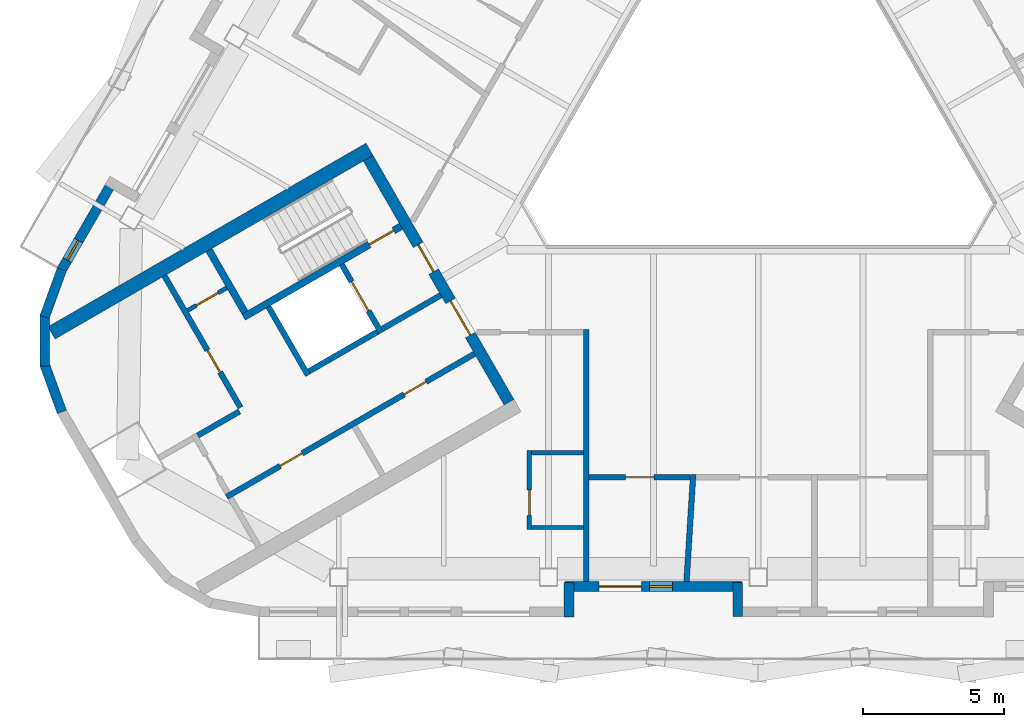
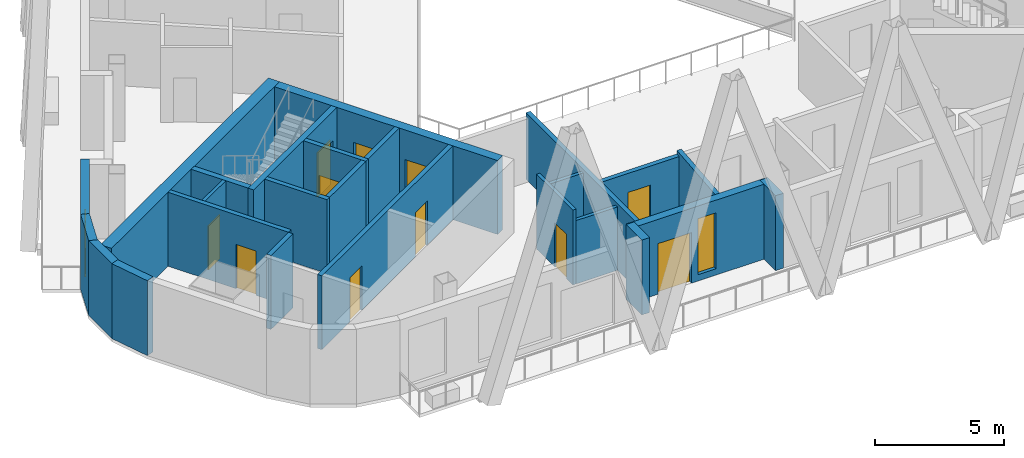
# One storey, part 3 of 14: 25 walls, 11 doors, 2 windows, 13 openings.
"""IFC4 building model written with IfcOpenShell, lengths in metres."""

from ifc_helpers import new_model, si_unit, direction, frame, frame_2d, origin, place, context, subcontext, project, spatial, rectangle, extrude, material, layer, layer_set, type_object, element, fill, save


model = new_model("IFC4")

# Units and contexts
model_context = context("Model", 3, precision=1e-05, world=origin(), true_north=direction((0.0, 1.0)))
body_context = subcontext(model_context, "Body", "Model", "MODEL_VIEW")
ifc_project = project(units=[si_unit("LENGTHUNIT", "METRE"), si_unit("AREAUNIT", "SQUARE_METRE"), si_unit("VOLUMEUNIT", "CUBIC_METRE"), si_unit("PLANEANGLEUNIT", "RADIAN"), si_unit("MASSUNIT", "GRAM", prefix="KILO")], contexts=[model_context])

# Site, building, storey
site_placement = place(None, origin())
site = spatial("IfcSite", under=ifc_project, at=site_placement, CompositionType="ELEMENT")
building_placement = place(site_placement, origin())
building = spatial("IfcBuilding", under=site, at=building_placement, Name="Apuvela Tower Hotel", CompositionType="ELEMENT")
storey_placement = place(building_placement, frame((0.0, 0.0, 268.89990234375)))
storey = spatial("IfcBuildingStorey", under=building, at=storey_placement, Name="L66", CompositionType="ELEMENT", Elevation=268.89990234375)

# Wall, openings, doors
ifc_material_1 = material(Name="Concrete C50/60", Category="concrete")
ifc_layer_1 = layer(ifc_material_1, 0.39990234375)
ifc_layer_set_1 = layer_set([ifc_layer_1], Name="COR-WALL-CORE-400")
wall_type_1 = type_object("IfcWallType", Name="COR-WALL-CORE-400", PredefinedType="SHEAR", material=ifc_layer_set_1)
wall_1_placement = place(storey_placement, frame((-13.844970703125, -2.219970703125, 0.0), z_axis=(0.0, 0.0, 1.0), x_axis=(0.500004234368, -0.866022959057, 0.0)))
wall_1 = element("IfcWall", 1, at=wall_1_placement, inside=storey, type_object=wall_type_1, Name="Core wall SW", PredefinedType="SHEAR", context=body_context, shape_type="SweptSolid", body=[
    extrude(rectangle(XDim=10.0, YDim=0.39990234375, at=frame_2d((5.0, 0.0))), origin(), (0.0, 0.0, 1.0), 3.5),
])
opening_1_placement = place(wall_1_placement, frame((3.550048828125, 0.0, 0.0)))
opening_1 = element("IfcOpeningElement", 2, at=opening_1_placement, cuts=wall_1, Name="Opening W-FD", PredefinedType="OPENING", context=body_context, shape_type="SweptSolid", body=[
    extrude(rectangle(XDim=1.10009765625, YDim=2.10009765625, at=frame_2d((0.550048828125, 1.050048828125))), frame((0.0, 0.2099609375, 0.0), z_axis=(0.0, -1.0, 0.0), x_axis=(1.0, 0.0, 0.0)), (0.0, 0.0, 1.0), 0.419921875),
])
opening_2_placement = place(wall_1_placement, frame((5.85009765625, 0.0, 0.0)))
opening_2 = element("IfcOpeningElement", 3, at=opening_2_placement, cuts=wall_1, Name="Opening W-GD", PredefinedType="OPENING", context=body_context, shape_type="SweptSolid", body=[
    extrude(rectangle(XDim=1.39990234375, YDim=2.10009765625, at=frame_2d((0.699951171875, 1.050048828125))), frame((0.0, 0.2099609375, 0.0), z_axis=(0.0, -1.0, 0.0), x_axis=(1.0, 0.0, 0.0)), (0.0, 0.0, 1.0), 0.419921875),
])
ifc_material_2 = material(Name="Steel fire door, powder coated", Category="steel")
door_type_1 = type_object("IfcDoorType", Name="COR-FD-1100", OperationType="NOTDEFINED", PredefinedType="DOOR", material=ifc_material_2)
door_1_placement = place(opening_1_placement, frame((1.10009765625, 0.0, 0.0), z_axis=(0.0, 0.0, 1.0), x_axis=(-1.0, 0.0, 0.0)))
door_1 = element("IfcDoor", 4, at=door_1_placement, inside=storey, type_object=door_type_1, Name="Firefighting lobby door W-FD", OperationType="SINGLE_SWING_LEFT", OverallHeight=2.10009765625, OverallWidth=1.10009765625, PredefinedType="DOOR", context=body_context, shape_type="SweptSolid", body=[
    extrude(rectangle(XDim=1.10009765625, YDim=2.10009765625, at=frame_2d((0.550048828125, 1.050048828125))), frame((0.0, 0.02490234375, 0.0), z_axis=(0.0, -1.0, 0.0), x_axis=(1.0, 0.0, 0.0)), (0.0, 0.0, 1.0), 0.050048828125),
])
fill(opening_1, door_1)
ifc_material_3 = material(Name="Glazed steel fire door", Category="steel")
door_type_2 = type_object("IfcDoorType", Name="COR-GD-1400", OperationType="DOUBLE_DOOR_SINGLE_SWING", PredefinedType="DOOR", material=ifc_material_3)
door_2_placement = place(opening_2_placement, frame((1.39990234375, 0.0, 0.0), z_axis=(0.0, 0.0, 1.0), x_axis=(-1.0, 0.0, 0.0)))
door_2 = element("IfcDoor", 5, at=door_2_placement, inside=storey, type_object=door_type_2, Name="Lift lobby door W-GD", OperationType="DOUBLE_DOOR_SINGLE_SWING", OverallHeight=2.10009765625, OverallWidth=1.39990234375, PredefinedType="DOOR", context=body_context, shape_type="SweptSolid", body=[
    extrude(rectangle(XDim=1.39990234375, YDim=2.10009765625, at=frame_2d((0.699951171875, 1.050048828125))), frame((0.0, 0.02490234375, 0.0), z_axis=(0.0, -1.0, 0.0), x_axis=(1.0, 0.0, 0.0)), (0.0, 0.0, 1.0), 0.050048828125),
])
fill(opening_2, door_2)

# Wall
ifc_layer_2 = layer(ifc_material_1, 0.5)
ifc_layer_set_2 = layer_set([ifc_layer_2], Name="COR-WALL-CORE-500")
wall_type_2 = type_object("IfcWallType", Name="COR-WALL-CORE-500", PredefinedType="SHEAR", material=ifc_layer_set_2)
wall_2_placement = place(storey_placement, frame((-13.796630859375, -1.9033203125, 0.0), z_axis=(0.0, 0.0, 1.0), x_axis=(-0.866022106474, -0.500005711065, 0.0)))
element("IfcWall", 6, at=wall_2_placement, inside=storey, type_object=wall_type_2, Name="Core wall SW", PredefinedType="SHEAR", context=body_context, shape_type="SweptSolid", body=[
    extrude(rectangle(XDim=13.031494140625, YDim=0.5, at=frame_2d((6.515625, 0.0))), origin(), (0.0, 0.0, 1.0), 3.5),
])

# Wall, opening, door
ifc_material_4 = material(Name="Blockwork 150 mm plastered", Category="masonry")
ifc_layer_3 = layer(ifc_material_4, 0.14990234375)
ifc_layer_set_3 = layer_set([ifc_layer_3], Name="COR-WALL-PART-150")
wall_type_3 = type_object("IfcWallType", Name="COR-WALL-PART-150", PredefinedType="PARTITIONING", material=ifc_layer_set_3)
wall_3_placement = place(storey_placement, frame((-18.866455078125, -6.822265625, 0.0), z_axis=(0.0, 0.0, 1.0), x_axis=(-0.866028054938, -0.499995408039, 0.0)))
wall_3 = element("IfcWall", 7, at=wall_3_placement, inside=storey, type_object=wall_type_3, Name="Partition SW", PredefinedType="PARTITIONING", context=body_context, shape_type="SweptSolid", body=[
    extrude(rectangle(XDim=1.60009765625, YDim=0.14990234375, at=frame_2d((0.800048828125, 0.0))), origin(), (0.0, 0.0, 1.0), 3.5),
])
opening_3_placement = place(wall_3_placement, frame((0.35009765625, 0.0, 0.0)))
opening_3 = element("IfcOpeningElement", 8, at=opening_3_placement, cuts=wall_3, Name="Opening W-RD", PredefinedType="OPENING", context=body_context, shape_type="SweptSolid", body=[
    extrude(rectangle(XDim=0.89990234375, YDim=2.10009765625, at=frame_2d((0.449951171875, 1.050048828125))), frame((0.0, 0.0849609375, 0.0), z_axis=(0.0, -1.0, 0.0), x_axis=(1.0, 0.0, 0.0)), (0.0, 0.0, 1.0), 0.169921875),
])
ifc_material_5 = material(Name="Steel access door, powder coated", Category="steel")
door_type_3 = type_object("IfcDoorType", Name="COR-RD-900", OperationType="NOTDEFINED", PredefinedType="DOOR", material=ifc_material_5)
door_3_placement = place(opening_3_placement, frame((0.89990234375, 0.0, 0.0), z_axis=(0.0, 0.0, 1.0), x_axis=(-1.0, 0.0, 0.0)))
door_3 = element("IfcDoor", 9, at=door_3_placement, inside=storey, type_object=door_type_3, Name="Riser door W-RD", OperationType="SINGLE_SWING_RIGHT", OverallHeight=2.10009765625, OverallWidth=0.89990234375, PredefinedType="DOOR", context=body_context, shape_type="SweptSolid", body=[
    extrude(rectangle(XDim=0.89990234375, YDim=2.10009765625, at=frame_2d((0.449951171875, 1.050048828125))), frame((0.0, 0.02490234375, 0.0), z_axis=(0.0, -1.0, 0.0), x_axis=(1.0, 0.0, 0.0)), (0.0, 0.0, 1.0), 0.050048828125),
])
fill(opening_3, door_3)

ifc_material_6 = material(Name="Blockwork 200 mm plastered", Category="masonry")
ifc_layer_4 = layer(ifc_material_6, 0.199951171875)
ifc_layer_set_4 = layer_set([ifc_layer_4], Name="COR-WALL-PART-200")
wall_type_4 = type_object("IfcWallType", Name="COR-WALL-PART-200", PredefinedType="PARTITIONING", material=ifc_layer_set_4)
wall_4_placement = place(storey_placement, frame((-21.076171875, -6.39501953125, 0.0), z_axis=(0.0, 0.0, 1.0), x_axis=(0.50001468107, -0.866016927499, 0.0)))
wall_4 = element("IfcWall", 10, at=wall_4_placement, inside=storey, type_object=wall_type_4, Name="Partition SW", PredefinedType="PARTITIONING", context=body_context, shape_type="SweptSolid", body=[
    extrude(rectangle(XDim=5.399658203125, YDim=0.199951171875, at=frame_2d((2.69970703125, 0.0))), origin(), (0.0, 0.0, 1.0), 3.5),
])
opening_4_placement = place(wall_4_placement, frame((3.050048828125, 0.0, 0.0)))
opening_4 = element("IfcOpeningElement", 11, at=opening_4_placement, cuts=wall_4, Name="Opening W-RS1", PredefinedType="OPENING", context=body_context, shape_type="SweptSolid", body=[
    extrude(rectangle(XDim=0.89990234375, YDim=2.10009765625, at=frame_2d((0.449951171875, 1.050048828125))), frame((0.0, 0.10986328125, 0.0), z_axis=(0.0, -1.0, 0.0), x_axis=(1.0, 0.0, 0.0)), (0.0, 0.0, 1.0), 0.219970703125),
])
door_type_4 = type_object("IfcDoorType", Name="COR-DR-900", OperationType="NOTDEFINED", PredefinedType="DOOR", material=ifc_material_2)
door_4_placement = place(opening_4_placement, frame((0.89990234375, 0.0, 0.0), z_axis=(0.0, 0.0, 1.0), x_axis=(-1.0, 0.0, 0.0)))
door_4 = element("IfcDoor", 12, at=door_4_placement, inside=storey, type_object=door_type_4, Name="Store door W-RS1", OperationType="SINGLE_SWING_LEFT", OverallHeight=2.10009765625, OverallWidth=0.89990234375, PredefinedType="DOOR", context=body_context, shape_type="SweptSolid", body=[
    extrude(rectangle(XDim=0.89990234375, YDim=2.10009765625, at=frame_2d((0.449951171875, 1.050048828125))), frame((0.0, 0.02490234375, 0.0), z_axis=(0.0, -1.0, 0.0), x_axis=(1.0, 0.0, 0.0)), (0.0, 0.0, 1.0), 0.050048828125),
])
fill(opening_4, door_4)

# Wall
ifc_layer_5 = layer(ifc_material_1, 0.199951171875)
ifc_layer_set_5 = layer_set([ifc_layer_5], Name="COR-WALL-SHAFT-200")
wall_type_5 = type_object("IfcWallType", Name="COR-WALL-SHAFT-200", PredefinedType="SHEAR", material=ifc_layer_set_5)
wall_5_placement = place(storey_placement, frame((-17.38134765625, -7.49462890625, 0.0), z_axis=(0.0, 0.0, 1.0), x_axis=(0.500011755427, -0.866018616679, 0.0)))
element("IfcWall", 13, at=wall_5_placement, inside=storey, type_object=wall_type_5, Name="Shaft wall SW", PredefinedType="SHEAR", context=body_context, shape_type="SweptSolid", body=[
    extrude(rectangle(XDim=2.80029296875, YDim=0.199951171875, at=frame_2d((1.400146484375, 0.0))), origin(), (0.0, 0.0, 1.0), 3.5),
])

# Wall, opening, door
wall_6_placement = place(storey_placement, frame((-14.783203125, -5.99462890625, 0.0), z_axis=(0.0, 0.0, 1.0), x_axis=(0.49994636267, -0.866056369097, 0.0)))
wall_6 = element("IfcWall", 14, at=wall_6_placement, inside=storey, type_object=wall_type_5, Name="Shaft wall SW", PredefinedType="SHEAR", context=body_context, shape_type="SweptSolid", body=[
    extrude(rectangle(XDim=2.800048828125, YDim=0.199951171875, at=frame_2d((1.39990234375, 0.0))), origin(), (0.0, 0.0, 1.0), 3.5),
])
opening_5_placement = place(wall_6_placement, frame((0.699951171875, 0.0, 0.0)))
opening_5 = element("IfcOpeningElement", 15, at=opening_5_placement, cuts=wall_6, Name="Opening W-LD-FS2", PredefinedType="OPENING", context=body_context, shape_type="SweptSolid", body=[
    extrude(rectangle(XDim=1.199951171875, YDim=2.10009765625, at=frame_2d((0.60009765625, 1.050048828125))), frame((0.0, 0.10986328125, 0.0), z_axis=(0.0, -1.0, 0.0), x_axis=(1.0, 0.0, 0.0)), (0.0, 0.0, 1.0), 0.219970703125),
])
ifc_material_7 = material(Name="Stainless steel lift landing door", Category="steel")
door_type_5 = type_object("IfcDoorType", Name="COR-LD-1200", OperationType="DOUBLE_DOOR_SLIDING", PredefinedType="DOOR", material=ifc_material_7)
door_5_placement = place(opening_5_placement, origin())
door_5 = element("IfcDoor", 16, at=door_5_placement, inside=storey, type_object=door_type_5, Name="Lift landing door W-LD-FS2", OperationType="DOUBLE_DOOR_SLIDING", OverallHeight=2.10009765625, OverallWidth=1.199951171875, PredefinedType="DOOR", context=body_context, shape_type="SweptSolid", body=[
    extrude(rectangle(XDim=1.199951171875, YDim=2.10009765625, at=frame_2d((0.60009765625, 1.050048828125))), frame((0.0, 0.02490234375, 0.0), z_axis=(0.0, -1.0, 0.0), x_axis=(1.0, 0.0, 0.0)), (0.0, 0.0, 1.0), 0.050048828125),
])
fill(opening_5, door_5)

# Walls
wall_7_placement = place(storey_placement, frame((-13.519775390625, -8.383056640625, 0.0), z_axis=(0.0, 0.0, 1.0), x_axis=(-0.866034573852, -0.49998411664, 0.0)))
element("IfcWall", 17, at=wall_7_placement, inside=storey, type_object=wall_type_5, Name="Shaft wall SW", PredefinedType="SHEAR", context=body_context, shape_type="SweptSolid", body=[
    extrude(rectangle(XDim=2.7998046875, YDim=0.199951171875, at=frame_2d((1.39990234375, 0.0))), origin(), (0.0, 0.0, 1.0), 3.5),
])
wall_8_placement = place(storey_placement, frame((-11.26806640625, -7.0830078125, 0.0), z_axis=(0.0, 0.0, 1.0), x_axis=(-0.866050077142, -0.499957262057, 0.0)))
element("IfcWall", 18, at=wall_8_placement, inside=storey, type_object=wall_type_5, Name="Shaft wall SW", PredefinedType="SHEAR", context=body_context, shape_type="SweptSolid", body=[
    extrude(rectangle(XDim=2.400146484375, YDim=0.199951171875, at=frame_2d((1.2001953125, 0.0))), origin(), (0.0, 0.0, 1.0), 3.5),
])

# Wall, openings, doors
wall_9_placement = place(storey_placement, frame((-10.068115234375, -9.16162109375, 0.0), z_axis=(0.0, 0.0, 1.0), x_axis=(-0.866032725843, -0.499987317609, 0.0)))
wall_9 = element("IfcWall", 19, at=wall_9_placement, inside=storey, type_object=wall_type_5, Name="Shaft wall SW", PredefinedType="SHEAR", context=body_context, shape_type="SweptSolid", body=[
    extrude(rectangle(XDim=10.159912109375, YDim=0.199951171875, at=frame_2d((5.080078125, 0.0))), origin(), (0.0, 0.0, 1.0), 3.5),
])
opening_6_placement = place(wall_9_placement, frame((1.989990234375, 0.0, 0.0)))
opening_6 = element("IfcOpeningElement", 20, at=opening_6_placement, cuts=wall_9, Name="Opening W-RE1", PredefinedType="OPENING", context=body_context, shape_type="SweptSolid", body=[
    extrude(rectangle(XDim=0.89990234375, YDim=2.10009765625, at=frame_2d((0.449951171875, 1.050048828125))), frame((0.0, 0.10986328125, 0.0), z_axis=(0.0, -1.0, 0.0), x_axis=(1.0, 0.0, 0.0)), (0.0, 0.0, 1.0), 0.219970703125),
])
opening_7_placement = place(wall_9_placement, frame((7.070068359375, 0.0, 0.0)))
opening_7 = element("IfcOpeningElement", 21, at=opening_7_placement, cuts=wall_9, Name="Opening W-RE3", PredefinedType="OPENING", context=body_context, shape_type="SweptSolid", body=[
    extrude(rectangle(XDim=0.89990234375, YDim=2.10009765625, at=frame_2d((0.449951171875, 1.050048828125))), frame((0.0, 0.10986328125, 0.0), z_axis=(0.0, -1.0, 0.0), x_axis=(1.0, 0.0, 0.0)), (0.0, 0.0, 1.0), 0.219970703125),
])
door_6_placement = place(opening_6_placement, origin())
door_6 = element("IfcDoor", 22, at=door_6_placement, inside=storey, type_object=door_type_4, Name="Store door W-RE1", OperationType="SINGLE_SWING_LEFT", OverallHeight=2.10009765625, OverallWidth=0.89990234375, PredefinedType="DOOR", context=body_context, shape_type="SweptSolid", body=[
    extrude(rectangle(XDim=0.89990234375, YDim=2.10009765625, at=frame_2d((0.449951171875, 1.050048828125))), frame((0.0, 0.02490234375, 0.0), z_axis=(0.0, -1.0, 0.0), x_axis=(1.0, 0.0, 0.0)), (0.0, 0.0, 1.0), 0.050048828125),
])
fill(opening_6, door_6)
door_7_placement = place(opening_7_placement, origin())
door_7 = element("IfcDoor", 23, at=door_7_placement, inside=storey, type_object=door_type_4, Name="Store door W-RE3", OperationType="SINGLE_SWING_LEFT", OverallHeight=2.10009765625, OverallWidth=0.89990234375, PredefinedType="DOOR", context=body_context, shape_type="SweptSolid", body=[
    extrude(rectangle(XDim=0.89990234375, YDim=2.10009765625, at=frame_2d((0.449951171875, 1.050048828125))), frame((0.0, 0.02490234375, 0.0), z_axis=(0.0, -1.0, 0.0), x_axis=(1.0, 0.0, 0.0)), (0.0, 0.0, 1.0), 0.050048828125),
])
fill(opening_7, door_7)

# Wall
wall_10_placement = place(storey_placement, frame((-18.412841796875, -11.2080078125, 0.0), z_axis=(0.0, 0.0, 1.0), x_axis=(-0.866038183914, -0.499977863513, 0.0)))
element("IfcWall", 24, at=wall_10_placement, inside=storey, type_object=wall_type_5, Name="Shaft wall SW", PredefinedType="SHEAR", context=body_context, shape_type="SweptSolid", body=[
    extrude(rectangle(XDim=1.7099609375, YDim=0.199951171875, at=frame_2d((0.85498046875, 0.0))), origin(), (0.0, 0.0, 1.0), 3.5),
])

# Wall, opening, door
ifc_layer_6 = layer(ifc_material_1, 0.25)
ifc_layer_set_6 = layer_set([ifc_layer_6], Name="COR-WALL-STAIR-250")
wall_type_6 = type_object("IfcWallType", Name="COR-WALL-STAIR-250", PredefinedType="SHEAR", material=ifc_layer_set_6)
wall_11_placement = place(storey_placement, frame((-12.6806640625, -4.636474609375, 0.0), z_axis=(0.0, 0.0, 1.0), x_axis=(-0.866021702275, -0.500006411147, 0.0)))
wall_11 = element("IfcWall", 25, at=wall_11_placement, inside=storey, type_object=wall_type_6, Name="Stair wall SW", PredefinedType="SHEAR", context=body_context, shape_type="SweptSolid", body=[
    extrude(rectangle(XDim=6.4501953125, YDim=0.25, at=frame_2d((3.22509765625, 0.0))), origin(), (0.0, 0.0, 1.0), 3.5),
])
opening_8_placement = place(wall_11_placement, frame((0.300048828125, 0.0, 0.0)))
opening_8 = element("IfcOpeningElement", 26, at=opening_8_placement, cuts=wall_11, Name="Opening W-SD", PredefinedType="OPENING", context=body_context, shape_type="SweptSolid", body=[
    extrude(rectangle(XDim=1.0, YDim=2.10009765625, at=frame_2d((0.5, 1.050048828125))), frame((0.0, 0.135009765625, 0.0), z_axis=(0.0, -1.0, 0.0), x_axis=(1.0, 0.0, 0.0)), (0.0, 0.0, 1.0), 0.27001953125),
])
door_type_6 = type_object("IfcDoorType", Name="COR-SD-1000", OperationType="NOTDEFINED", PredefinedType="DOOR", material=ifc_material_2)
door_8_placement = place(opening_8_placement, frame((1.0, 0.0, 0.0), z_axis=(0.0, 0.0, 1.0), x_axis=(-1.0, 0.0, 0.0)))
door_8 = element("IfcDoor", 27, at=door_8_placement, inside=storey, type_object=door_type_6, Name="Stair door W-SD", OperationType="SINGLE_SWING_LEFT", OverallHeight=2.10009765625, OverallWidth=1.0, PredefinedType="DOOR", context=body_context, shape_type="SweptSolid", body=[
    extrude(rectangle(XDim=1.0, YDim=2.10009765625, at=frame_2d((0.5, 1.050048828125))), frame((0.0, 0.02490234375, 0.0), z_axis=(0.0, -1.0, 0.0), x_axis=(1.0, 0.0, 0.0)), (0.0, 0.0, 1.0), 0.050048828125),
])
fill(opening_8, door_8)

# Wall
wall_12_placement = place(storey_placement, frame((-19.49560546875, -5.482421875, 0.0), z_axis=(0.0, 0.0, 1.0), x_axis=(0.499990435942, -0.866030925526, 0.0)))
element("IfcWall", 28, at=wall_12_placement, inside=storey, type_object=wall_type_6, Name="Stair wall SW", PredefinedType="SHEAR", context=body_context, shape_type="SweptSolid", body=[
    extrude(rectangle(XDim=2.5498046875, YDim=0.25, at=frame_2d((1.27490234375, 0.0))), origin(), (0.0, 0.0, 1.0), 3.5),
])

# Wall, opening, window
ifc_material_8 = material(Name="Concrete C40/50, dark pigmented precast panel", Category="concrete")
ifc_layer_7 = layer(ifc_material_8, 0.35009765625)
ifc_layer_set_7 = layer_set([ifc_layer_7], Name="ENV-WALL-350")
wall_type_7 = type_object("IfcWallType", Name="ENV-WALL-350", PredefinedType="SOLIDWALL", material=ifc_layer_set_7)
wall_13_placement = place(storey_placement, frame((-22.85986328125, -2.952880859375, 0.0), z_axis=(0.0, 0.0, 1.0), x_axis=(-0.50001992892, -0.866013897511, 0.0)))
wall_13 = element("IfcWall", 29, at=wall_13_placement, inside=storey, type_object=wall_type_7, Name="External wall L66-09", PredefinedType="SOLIDWALL", context=body_context, shape_type="SweptSolid", body=[
    extrude(rectangle(XDim=3.741455078125, YDim=0.35009765625, at=frame_2d((1.87060546875, 0.0))), origin(), (0.0, 0.0, 1.0), 3.550048828125),
])
opening_9_placement = place(wall_13_placement, frame((2.53076171875, 0.0, 0.300048828125)))
opening_9 = element("IfcOpeningElement", 30, at=opening_9_placement, cuts=wall_13, Name="Opening WN08", PredefinedType="OPENING", context=body_context, shape_type="SweptSolid", body=[
    extrude(rectangle(XDim=0.800048828125, YDim=2.64990234375, at=frame_2d((0.39990234375, 1.324951171875))), frame((0.0, 0.18505859375, 0.0), z_axis=(0.0, -1.0, 0.0), x_axis=(1.0, 0.0, 0.0)), (0.0, 0.0, 1.0), 0.3701171875),
])
ifc_material_9 = material(Name="Glass, dark tinted laminated insulated glazing unit", Category="glass")
window_type = type_object("IfcWindowType", Name="ENV-WIN-800x2650", PartitioningType="SINGLE_PANEL", PredefinedType="WINDOW", material=ifc_material_9)
window_1_placement = place(opening_9_placement, origin())
window_1 = element("IfcWindow", 31, at=window_1_placement, inside=storey, type_object=window_type, Name="Window WN08", OverallHeight=2.64990234375, OverallWidth=0.800048828125, PartitioningType="SINGLE_PANEL", PredefinedType="WINDOW", context=body_context, shape_type="SweptSolid", body=[
    extrude(rectangle(XDim=0.800048828125, YDim=2.64990234375, at=frame_2d((0.39990234375, 1.324951171875))), frame((0.0, 0.030029296875, 0.0), z_axis=(0.0, -1.0, 0.0), x_axis=(1.0, 0.0, 0.0)), (0.0, 0.0, 1.0), 0.06005859375),
])
fill(opening_9, window_1)

# Walls
wall_14_placement = place(storey_placement, frame((-24.7177734375, -6.165283203125, 0.0), z_axis=(0.0, 0.0, 1.0), x_axis=(-0.34206975284, -0.939674562916, 0.0)))
element("IfcWall", 32, at=wall_14_placement, inside=storey, type_object=wall_type_7, Name="External wall L66-10", PredefinedType="SOLIDWALL", context=body_context, shape_type="SweptSolid", body=[
    extrude(rectangle(XDim=1.800048828125, YDim=0.35009765625, at=frame_2d((0.89990234375, 0.0))), origin(), (0.0, 0.0, 1.0), 3.550048828125),
])
wall_15_placement = place(storey_placement, frame((-25.32275390625, -7.796875, 0.0), z_axis=(0.0, 0.0, 1.0), x_axis=(0.0, -1.0, 0.0)))
element("IfcWall", 33, at=wall_15_placement, inside=storey, type_object=wall_type_7, Name="External wall L66-11", PredefinedType="SOLIDWALL", context=body_context, shape_type="SweptSolid", body=[
    extrude(rectangle(XDim=1.7998046875, YDim=0.35009765625, at=frame_2d((0.89990234375, 0.0))), origin(), (0.0, 0.0, 1.0), 3.550048828125),
])
wall_16_placement = place(storey_placement, frame((-25.33349609375, -9.53662109375, 0.0), z_axis=(0.0, 0.0, 1.0), x_axis=(0.34206975284, -0.939674562916, 0.0)))
element("IfcWall", 34, at=wall_16_placement, inside=storey, type_object=wall_type_7, Name="External wall L66-12", PredefinedType="SOLIDWALL", context=body_context, shape_type="SweptSolid", body=[
    extrude(rectangle(XDim=1.800048828125, YDim=0.35009765625, at=frame_2d((0.89990234375, 0.0))), origin(), (0.0, 0.0, 1.0), 3.550048828125),
])
wall_17_placement = place(storey_placement, frame((-6.718505859375, -18.495849609375, 0.0), z_axis=(0.0, 0.0, 1.0), x_axis=(0.0, 1.0, 0.0)))
element("IfcWall", 35, at=wall_17_placement, inside=storey, type_object=wall_type_7, Name="External wall L66-18", PredefinedType="SOLIDWALL", context=body_context, shape_type="SweptSolid", body=[
    extrude(rectangle(XDim=1.219970703125, YDim=0.35009765625, at=frame_2d((0.60986328125, 0.0))), origin(), (0.0, 0.0, 1.0), 3.550048828125),
])

# Wall, openings, door, window
wall_18_placement = place(storey_placement, frame((-6.863525390625, -17.4208984375, 0.0), z_axis=(0.0, 0.0, 1.0), x_axis=(1.0, 0.0, 0.0)))
wall_18 = element("IfcWall", 36, at=wall_18_placement, inside=storey, type_object=wall_type_7, Name="External wall L66-19", PredefinedType="SOLIDWALL", context=body_context, shape_type="SweptSolid", body=[
    extrude(rectangle(XDim=6.283447265625, YDim=0.35009765625, at=frame_2d((3.1416015625, 0.0))), origin(), (0.0, 0.0, 1.0), 3.550048828125),
])
opening_10_placement = place(wall_18_placement, frame((1.21337890625, 0.0, 0.0)))
opening_10 = element("IfcOpeningElement", 37, at=opening_10_placement, cuts=wall_18, Name="Opening BD15", PredefinedType="OPENING", context=body_context, shape_type="SweptSolid", body=[
    extrude(rectangle(XDim=1.5, YDim=2.39990234375, at=frame_2d((0.75, 1.199951171875))), frame((0.0, 0.18505859375, 0.0), z_axis=(0.0, -1.0, 0.0), x_axis=(1.0, 0.0, 0.0)), (0.0, 0.0, 1.0), 0.3701171875),
])
opening_11_placement = place(wall_18_placement, frame((3.013427734375, 0.0, 0.300048828125)))
opening_11 = element("IfcOpeningElement", 38, at=opening_11_placement, cuts=wall_18, Name="Opening WN08", PredefinedType="OPENING", context=body_context, shape_type="SweptSolid", body=[
    extrude(rectangle(XDim=0.800048828125, YDim=2.64990234375, at=frame_2d((0.39990234375, 1.324951171875))), frame((0.0, 0.18505859375, 0.0), z_axis=(0.0, -1.0, 0.0), x_axis=(1.0, 0.0, 0.0)), (0.0, 0.0, 1.0), 0.3701171875),
])
ifc_material_10 = material(Name="Aluminium 6063-T6, dark bronze anodised frame with dark tinted laminated glass", Category="aluminium")
door_type_7 = type_object("IfcDoorType", Name="ENV-DOOR-BALCONY-1500x2400", OperationType="SLIDING_TO_LEFT", PredefinedType="DOOR", material=ifc_material_10)
door_9_placement = place(opening_10_placement, frame((1.5, 0.0, 0.0), z_axis=(0.0, 0.0, 1.0), x_axis=(-1.0, 0.0, 0.0)))
door_9 = element("IfcDoor", 39, at=door_9_placement, inside=storey, type_object=door_type_7, Name="Balcony door BD15", OperationType="SLIDING_TO_LEFT", OverallHeight=2.39990234375, OverallWidth=1.5, PredefinedType="DOOR", context=body_context, shape_type="SweptSolid", body=[
    extrude(rectangle(XDim=1.5, YDim=2.39990234375, at=frame_2d((0.75, 1.199951171875))), frame((0.0, 0.02490234375, 0.0), z_axis=(0.0, -1.0, 0.0), x_axis=(1.0, 0.0, 0.0)), (0.0, 0.0, 1.0), 0.050048828125),
])
fill(opening_10, door_9)
window_2_placement = place(opening_11_placement, origin())
window_2 = element("IfcWindow", 40, at=window_2_placement, inside=storey, type_object=window_type, Name="Window WN08", OverallHeight=2.64990234375, OverallWidth=0.800048828125, PartitioningType="SINGLE_PANEL", PredefinedType="WINDOW", context=body_context, shape_type="SweptSolid", body=[
    extrude(rectangle(XDim=0.800048828125, YDim=2.64990234375, at=frame_2d((0.39990234375, 1.324951171875))), frame((0.0, 0.030029296875, 0.0), z_axis=(0.0, -1.0, 0.0), x_axis=(1.0, 0.0, 0.0)), (0.0, 0.0, 1.0), 0.06005859375),
])
fill(opening_11, window_2)

# Walls
wall_19_placement = place(storey_placement, frame((-0.72509765625, -17.27587890625, 0.0), z_axis=(0.0, 0.0, 1.0), x_axis=(0.0, -1.0, 0.0)))
element("IfcWall", 41, at=wall_19_placement, inside=storey, type_object=wall_type_7, Name="External wall L66-20", PredefinedType="SOLIDWALL", context=body_context, shape_type="SweptSolid", body=[
    extrude(rectangle(XDim=1.219970703125, YDim=0.35009765625, at=frame_2d((0.60986328125, 0.0))), origin(), (0.0, 0.0, 1.0), 3.550048828125),
])
ifc_material_11 = material(Name="Gypsum board partition on twin steel stud", Category="steel")
ifc_layer_8 = layer(ifc_material_11, 0.199951171875)
ifc_layer_set_8 = layer_set([ifc_layer_8], Name="GST-PW1")
wall_type_8 = type_object("IfcWallType", Name="GST-PW1", PredefinedType="PARTITIONING", material=ifc_layer_set_8)
wall_20_placement = place(storey_placement, frame((-6.10009765625, -17.245849609375, 0.0), z_axis=(0.0, 0.0, 1.0), x_axis=(0.0, 1.0, 0.0)))
element("IfcWall", 42, at=wall_20_placement, inside=storey, type_object=wall_type_8, Name="L66 partition 01", PredefinedType="PARTITIONING", context=body_context, shape_type="SweptSolid", body=[
    extrude(rectangle(XDim=8.94580078125, YDim=0.199951171875, at=frame_2d((4.472900390625, 0.0))), origin(), (0.0, 0.0, 1.0), 3.16015625),
])
wall_21_placement = place(storey_placement, frame((-2.5439453125, -17.245849609375, 0.0), z_axis=(0.0, 0.0, 1.0), x_axis=(0.062070892854, 0.998071743043, 0.0)))
element("IfcWall", 43, at=wall_21_placement, inside=storey, type_object=wall_type_8, Name="L66 partition 02", PredefinedType="PARTITIONING", context=body_context, shape_type="SweptSolid", body=[
    extrude(rectangle(XDim=3.807373046875, YDim=0.199951171875, at=frame_2d((1.90380859375, 0.0))), origin(), (0.0, 0.0, 1.0), 3.16015625),
])

# Wall, opening, door
ifc_material_12 = material(Name="Gypsum board corridor wall on twin steel stud, acoustic", Category="steel")
ifc_layer_9 = layer(ifc_material_12, 0.199951171875)
ifc_layer_set_9 = layer_set([ifc_layer_9], Name="GST-PW2")
wall_type_9 = type_object("IfcWallType", Name="GST-PW2", PredefinedType="PARTITIONING", material=ifc_layer_set_9)
wall_22_placement = place(storey_placement, frame((-2.4140625, -13.5458984375, 0.0), z_axis=(0.0, 0.0, 1.0), x_axis=(-1.0, 0.0, 0.0)))
wall_22 = element("IfcWall", 44, at=wall_22_placement, inside=storey, type_object=wall_type_9, Name="L66 partition 15", PredefinedType="PARTITIONING", context=body_context, shape_type="SweptSolid", body=[
    extrude(rectangle(XDim=3.5859375, YDim=0.199951171875, at=frame_2d((1.79296875, 0.0))), origin(), (0.0, 0.0, 1.0), 3.0),
])
opening_12_placement = place(wall_22_placement, frame((1.29296875, 0.0, 0.0)))
opening_12 = element("IfcOpeningElement", 45, at=opening_12_placement, cuts=wall_22, Name="Opening GD26-03", PredefinedType="OPENING", context=body_context, shape_type="SweptSolid", body=[
    extrude(rectangle(XDim=1.0, YDim=2.10009765625, at=frame_2d((0.5, 1.050048828125))), frame((0.0, 0.10986328125, 0.0), z_axis=(0.0, -1.0, 0.0), x_axis=(1.0, 0.0, 0.0)), (0.0, 0.0, 1.0), 0.219970703125),
])
ifc_material_13 = material(Name="Timber door leaf in steel frame", Category="steel")
door_type_8 = type_object("IfcDoorType", Name="GST-D1", OperationType="NOTDEFINED", PredefinedType="DOOR", material=ifc_material_13)
door_10_placement = place(opening_12_placement, origin())
door_10 = element("IfcDoor", 46, at=door_10_placement, inside=storey, type_object=door_type_8, Name="Door L66-03", OperationType="SINGLE_SWING_LEFT", OverallHeight=2.10009765625, OverallWidth=1.0, PredefinedType="DOOR", context=body_context, shape_type="SweptSolid", body=[
    extrude(rectangle(XDim=1.0, YDim=2.10009765625, at=frame_2d((0.5, 1.050048828125))), frame((0.0, 0.02490234375, 0.0), z_axis=(0.0, -1.0, 0.0), x_axis=(1.0, 0.0, 0.0)), (0.0, 0.0, 1.0), 0.050048828125),
])
fill(opening_12, door_10)

ifc_material_14 = material(Name="Moisture-resistant gypsum board wet wall on steel stud", Category="steel")
ifc_layer_10 = layer(ifc_material_14, 0.14990234375)
ifc_layer_set_10 = layer_set([ifc_layer_10], Name="GST-PW3")
wall_type_10 = type_object("IfcWallType", Name="GST-PW3", PredefinedType="PARTITIONING", material=ifc_layer_set_10)
wall_23_placement = place(storey_placement, frame((-8.125, -12.60009765625, 0.0), z_axis=(0.0, 0.0, 1.0), x_axis=(0.0, -1.0, 0.0)))
wall_23 = element("IfcWall", 47, at=wall_23_placement, inside=storey, type_object=wall_type_10, Name="L66 partition 12", PredefinedType="PARTITIONING", context=body_context, shape_type="SweptSolid", body=[
    extrude(rectangle(XDim=2.7998046875, YDim=0.14990234375, at=frame_2d((1.39990234375, 0.0))), origin(), (0.0, 0.0, 1.0), 3.550048828125),
])
opening_13_placement = place(wall_23_placement, frame((1.39990234375, 0.0, 0.0)))
opening_13 = element("IfcOpeningElement", 48, at=opening_13_placement, cuts=wall_23, Name="Opening GD26-01", PredefinedType="OPENING", context=body_context, shape_type="SweptSolid", body=[
    extrude(rectangle(XDim=0.89990234375, YDim=2.10009765625, at=frame_2d((0.449951171875, 1.050048828125))), frame((0.0, 0.0849609375, 0.0), z_axis=(0.0, -1.0, 0.0), x_axis=(1.0, 0.0, 0.0)), (0.0, 0.0, 1.0), 0.169921875),
])
door_type_9 = type_object("IfcDoorType", Name="GST-D2", OperationType="NOTDEFINED", PredefinedType="DOOR", material=ifc_material_13)
door_11_placement = place(opening_13_placement, origin())
door_11 = element("IfcDoor", 49, at=door_11_placement, inside=storey, type_object=door_type_9, Name="Door L66-01", OperationType="SINGLE_SWING_RIGHT", OverallHeight=2.10009765625, OverallWidth=0.89990234375, PredefinedType="DOOR", context=body_context, shape_type="SweptSolid", body=[
    extrude(rectangle(XDim=0.89990234375, YDim=2.10009765625, at=frame_2d((0.449951171875, 1.050048828125))), frame((0.0, 0.02490234375, 0.0), z_axis=(0.0, -1.0, 0.0), x_axis=(1.0, 0.0, 0.0)), (0.0, 0.0, 1.0), 0.050048828125),
])
fill(opening_13, door_11)

# Walls
for number, where, z_axis, x_axis, name in (
    (50, (-8.050048828125, -15.324951171875, 0.0), (0.0, 0.0, 1.0), (1.0, 0.0, 0.0), "L66 partition 13"),
    (51, (-8.050048828125, -12.675048828125, 0.0), (0.0, 0.0, 1.0), (1.0, 0.0, 0.0), "L66 partition 14"),
):
    element("IfcWall", number, at=place(storey_placement, frame(where, z_axis=z_axis, x_axis=x_axis)), inside=storey, type_object=wall_type_10, Name=name, PredefinedType="PARTITIONING", context=body_context, shape_type="SweptSolid", body=[
        extrude(rectangle(XDim=1.85009765625, YDim=0.14990234375, at=frame_2d((0.925048828125, 0.0))), origin(), (0.0, 0.0, 1.0), 3.0),
    ])

save(model, "model.ifc")
